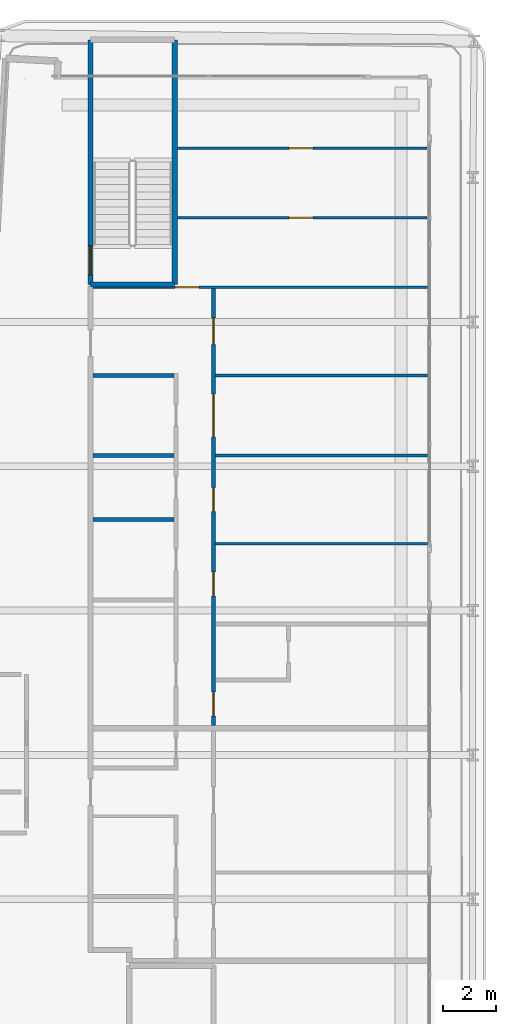
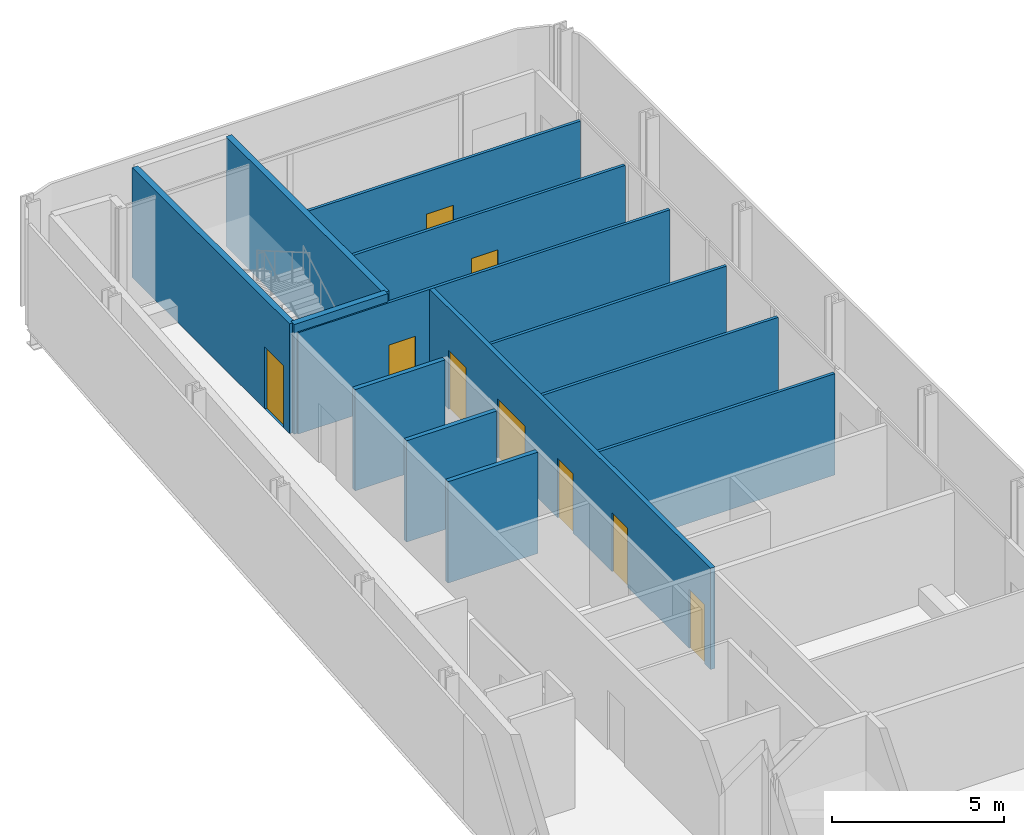
# One storey, part 18 of 27: 13 walls, 9 doors, 9 openings.
"""IFC4 building model written with IfcOpenShell, lengths in metres."""

from ifc_helpers import new_model, si_unit, direction, frame, frame_2d, origin, place, context, subcontext, project, spatial, rectangle, extrude, source, transform, mapped, material, layer, layer_set, type_object, element, fill, save


model = new_model("IFC4")

# Units and contexts
model_context = context("Model", 3, precision=1e-05, world=origin(), true_north=direction((0.0, 1.0)))
body_context = subcontext(model_context, "Body", "Model", "MODEL_VIEW")
ifc_project = project(units=[si_unit("LENGTHUNIT", "METRE"), si_unit("AREAUNIT", "SQUARE_METRE"), si_unit("VOLUMEUNIT", "CUBIC_METRE"), si_unit("PLANEANGLEUNIT", "RADIAN"), si_unit("MASSUNIT", "GRAM", prefix="KILO")], contexts=[model_context])

# Site, building, storey
site_placement = place(None, origin())
site = spatial("IfcSite", under=ifc_project, at=site_placement, CompositionType="ELEMENT")
building_placement = place(site_placement, origin())
building = spatial("IfcBuilding", under=site, at=building_placement, Name="Kheshtan School and Residences Tower", CompositionType="ELEMENT")
storey_placement = place(building_placement, frame((0.0, 0.0, 98.0)))
storey = spatial("IfcBuildingStorey", under=building, at=storey_placement, Name="L22", CompositionType="ELEMENT", Elevation=98.0)

# Wall, opening, door
ifc_material_1 = material(Name="Gypsum board on steel studs", Category="steel")
ifc_layer_1 = layer(ifc_material_1, 0.10009765625)
ifc_layer_set_1 = layer_set([ifc_layer_1], Name="Gypsum partition 100")
wall_type_1 = type_object("IfcWallType", Name="Gypsum partition 100", PredefinedType="PARTITIONING", material=ifc_layer_set_1)
wall_1_placement = place(storey_placement, frame((33.39990234375, 79.300048828125, 0.0), z_axis=(0.0, 0.0, 1.0), x_axis=(1.0, 0.0, 0.0)))
wall_1 = element("IfcWall", 1, at=wall_1_placement, inside=storey, type_object=wall_type_1, Name="Partition L22-011", PredefinedType="PARTITIONING", context=body_context, shape_type="SweptSolid", body=[
    extrude(rectangle(XDim=12.5, YDim=0.10009765625, at=frame_2d((6.25, 0.0))), origin(), (0.0, 0.0, 1.0), 3.60009765625),
])
opening_1_placement = place(wall_1_placement, frame((3.052978515625, 0.0, 0.0)))
opening_1 = element("IfcOpeningElement", 2, at=opening_1_placement, cuts=wall_1, Name="Opening D21-046", PredefinedType="OPENING", context=body_context, shape_type="SweptSolid", body=[
    extrude(rectangle(XDim=0.89990234375, YDim=2.10009765625, at=frame_2d((0.449951171875, 1.050048828125))), frame((0.0, 0.06005859375, 0.0), z_axis=(0.0, -1.0, 0.0), x_axis=(1.0, 0.0, 0.0)), (0.0, 0.0, 1.0), 0.1201171875),
])
ifc_material_2 = material(Name="Veneered timber door leaf", Category="wood")
door_type_1 = type_object("IfcDoorType", Name="Door 900 x 2100", OperationType="SINGLE_SWING_LEFT", PredefinedType="DOOR", material=ifc_material_2)
shared_shape_1 = source(origin(), body_context, "Body", "SweptSolid", [
    extrude(rectangle(XDim=0.89990234375, YDim=2.10009765625, at=frame_2d((0.449951171875, 1.050048828125))), frame((0.0, 0.02490234375, 0.0), z_axis=(0.0, -1.0, 0.0), x_axis=(1.0, 0.0, 0.0)), (0.0, 0.0, 1.0), 0.050048828125),
])
door_1_placement = place(opening_1_placement, origin())
door_1 = element("IfcDoor", 3, at=door_1_placement, inside=storey, type_object=door_type_1, Name="Door D21-046", OperationType="SINGLE_SWING_LEFT", OverallHeight=2.10009765625, OverallWidth=0.89990234375, PredefinedType="DOOR", context=body_context, shape_type="MappedRepresentation", body=[
    mapped(shared_shape_1, transform((0.0, 0.0, 0.0), x_axis=(1.0, 0.0, 0.0), y_axis=(0.0, 1.0, 0.0), z_axis=(0.0, 0.0, 1.0), scale=1.0)),
])
fill(opening_1, door_1)

wall_2_placement = place(storey_placement, frame((36.549072265625, 81.89990234375, 0.0), z_axis=(0.0, 0.0, 1.0), x_axis=(1.0, 0.0, 0.0)))
wall_2 = element("IfcWall", 4, at=wall_2_placement, inside=storey, type_object=wall_type_1, Name="Partition L22-018", PredefinedType="PARTITIONING", context=body_context, shape_type="SweptSolid", body=[
    extrude(rectangle(XDim=9.350830078125, YDim=0.10009765625, at=frame_2d((4.67529296875, 0.0))), origin(), (0.0, 0.0, 1.0), 3.60009765625),
])
opening_2_placement = place(wall_2_placement, frame((4.176025390625, 0.0, 0.0)))
opening_2 = element("IfcOpeningElement", 5, at=opening_2_placement, cuts=wall_2, Name="Opening D21-047", PredefinedType="OPENING", context=body_context, shape_type="SweptSolid", body=[
    extrude(rectangle(XDim=0.89990234375, YDim=2.10009765625, at=frame_2d((0.449951171875, 1.050048828125))), frame((0.0, 0.06005859375, 0.0), z_axis=(0.0, -1.0, 0.0), x_axis=(1.0, 0.0, 0.0)), (0.0, 0.0, 1.0), 0.1201171875),
])
door_2_placement = place(opening_2_placement, origin())
door_2 = element("IfcDoor", 6, at=door_2_placement, inside=storey, type_object=door_type_1, Name="Door D21-047", OperationType="SINGLE_SWING_RIGHT", OverallHeight=2.10009765625, OverallWidth=0.89990234375, PredefinedType="DOOR", context=body_context, shape_type="MappedRepresentation", body=[
    mapped(shared_shape_1, transform((0.0, 0.0, 0.0), x_axis=(1.0, 0.0, 0.0), y_axis=(0.0, 1.0, 0.0), z_axis=(0.0, 0.0, 1.0), scale=1.0)),
])
fill(opening_2, door_2)

wall_3_placement = place(storey_placement, frame((36.549072265625, 84.5, 0.0), z_axis=(0.0, 0.0, 1.0), x_axis=(1.0, 0.0, 0.0)))
wall_3 = element("IfcWall", 7, at=wall_3_placement, inside=storey, type_object=wall_type_1, Name="Partition L22-019", PredefinedType="PARTITIONING", context=body_context, shape_type="SweptSolid", body=[
    extrude(rectangle(XDim=9.350830078125, YDim=0.10009765625, at=frame_2d((4.67529296875, 0.0))), origin(), (0.0, 0.0, 1.0), 3.60009765625),
])
opening_3_placement = place(wall_3_placement, frame((4.176025390625, 0.0, 0.0)))
opening_3 = element("IfcOpeningElement", 8, at=opening_3_placement, cuts=wall_3, Name="Opening D21-048", PredefinedType="OPENING", context=body_context, shape_type="SweptSolid", body=[
    extrude(rectangle(XDim=0.89990234375, YDim=2.10009765625, at=frame_2d((0.449951171875, 1.050048828125))), frame((0.0, 0.06005859375, 0.0), z_axis=(0.0, -1.0, 0.0), x_axis=(1.0, 0.0, 0.0)), (0.0, 0.0, 1.0), 0.1201171875),
])
door_3_placement = place(opening_3_placement, origin())
door_3 = element("IfcDoor", 9, at=door_3_placement, inside=storey, type_object=door_type_1, Name="Door D21-048", OperationType="SINGLE_SWING_RIGHT", OverallHeight=2.10009765625, OverallWidth=0.89990234375, PredefinedType="DOOR", context=body_context, shape_type="MappedRepresentation", body=[
    mapped(shared_shape_1, transform((0.0, 0.0, 0.0), x_axis=(1.0, 0.0, 0.0), y_axis=(0.0, 1.0, 0.0), z_axis=(0.0, 0.0, 1.0), scale=1.0)),
])
fill(opening_3, door_3)

# Walls
for number, where, z_axis, x_axis, name in (
    (10, (37.97509765625, 69.699951171875, 0.0), (0.0, 0.0, 1.0), (1.0, 0.0, 0.0), "Partition L22-025"),
    (11, (37.97509765625, 73.0, 0.0), (0.0, 0.0, 1.0), (1.0, 0.0, 0.0), "Partition L22-026"),
    (12, (37.97509765625, 76.0, 0.0), (0.0, 0.0, 1.0), (1.0, 0.0, 0.0), "Partition L22-027"),
):
    element("IfcWall", number, at=place(storey_placement, frame(where, z_axis=z_axis, x_axis=x_axis)), inside=storey, type_object=wall_type_1, Name=name, PredefinedType="PARTITIONING", context=body_context, shape_type="SweptSolid", body=[
        extrude(rectangle(XDim=7.9248046875, YDim=0.10009765625, at=frame_2d((3.96240234375, 0.0))), origin(), (0.0, 0.0, 1.0), 3.60009765625),
    ])
ifc_material_3 = material(Name="Concrete C40/50", Category="concrete")
ifc_layer_2 = layer(ifc_material_3, 0.199951171875)
ifc_layer_set_2 = layer_set([ifc_layer_2], Name="Stair enclosure wall 200 Concrete C40/50")
wall_type_2 = type_object("IfcWallType", Name="Stair enclosure wall 200 Concrete C40/50", PredefinedType="SHEAR", material=ifc_layer_set_2)
wall_4_placement = place(storey_placement, frame((33.300048828125, 79.39990234375, 0.0), z_axis=(0.0, 0.0, 1.0), x_axis=(1.0, 0.0, 0.0)))
element("IfcWall", 13, at=wall_4_placement, inside=storey, type_object=wall_type_2, Name="Stair enclosure wall ST3", PredefinedType="SHEAR", context=body_context, shape_type="SweptSolid", body=[
    extrude(rectangle(XDim=3.14990234375, YDim=0.199951171875, at=frame_2d((1.574951171875, 0.0))), origin(), (0.0, 0.0, 1.0), 3.89990234375),
])

# Wall, opening, door
wall_5_placement = place(storey_placement, frame((33.300048828125, 79.39990234375, 0.0), z_axis=(0.0, 0.0, 1.0), x_axis=(0.0, 1.0, 0.0)))
wall_5 = element("IfcWall", 14, at=wall_5_placement, inside=storey, type_object=wall_type_2, Name="Stair enclosure wall ST3", PredefinedType="SHEAR", context=body_context, shape_type="SweptSolid", body=[
    extrude(rectangle(XDim=9.16015625, YDim=0.199951171875, at=frame_2d((4.580078125, 0.0))), origin(), (0.0, 0.0, 1.0), 3.89990234375),
])
opening_4_placement = place(wall_5_placement, frame((0.35009765625, 0.0, 0.0)))
opening_4 = element("IfcOpeningElement", 15, at=opening_4_placement, cuts=wall_5, Name="Opening ST3D", PredefinedType="OPENING", context=body_context, shape_type="SweptSolid", body=[
    extrude(rectangle(XDim=1.10009765625, YDim=2.199951171875, at=frame_2d((0.550048828125, 1.10009765625))), frame((0.0, 0.10986328125, 0.0), z_axis=(0.0, -1.0, 0.0), x_axis=(1.0, 0.0, 0.0)), (0.0, 0.0, 1.0), 0.219970703125),
])
ifc_material_4 = material(Name="Steel door leaf, galvanised", Category="steel")
door_type_2 = type_object("IfcDoorType", Name="Stair door 1100 steel 90 min", OperationType="SINGLE_SWING_LEFT", PredefinedType="DOOR", material=ifc_material_4)
shared_shape_2 = source(origin(), body_context, "Body", "SweptSolid", [
    extrude(rectangle(XDim=1.10009765625, YDim=2.199951171875, at=frame_2d((0.550048828125, 1.10009765625))), frame((0.0, 0.02490234375, 0.0), z_axis=(0.0, -1.0, 0.0), x_axis=(1.0, 0.0, 0.0)), (0.0, 0.0, 1.0), 0.050048828125),
])
door_4_placement = place(opening_4_placement, origin())
door_4 = element("IfcDoor", 16, at=door_4_placement, inside=storey, type_object=door_type_2, Name="Stair ST3 door", OperationType="SINGLE_SWING_RIGHT", OverallHeight=2.199951171875, OverallWidth=1.10009765625, PredefinedType="DOOR", context=body_context, shape_type="MappedRepresentation", body=[
    mapped(shared_shape_2, transform((0.0, 0.0, 0.0), x_axis=(1.0, 0.0, 0.0), y_axis=(0.0, 1.0, 0.0), z_axis=(0.0, 0.0, 1.0), scale=1.0)),
])
fill(opening_4, door_4)

# Walls
wall_6_placement = place(storey_placement, frame((36.449951171875, 79.39990234375, 0.0), z_axis=(0.0, 0.0, 1.0), x_axis=(0.0, 1.0, 0.0)))
element("IfcWall", 17, at=wall_6_placement, inside=storey, type_object=wall_type_2, Name="Stair enclosure wall ST3", PredefinedType="SHEAR", context=body_context, shape_type="SweptSolid", body=[
    extrude(rectangle(XDim=9.16015625, YDim=0.199951171875, at=frame_2d((4.580078125, 0.0))), origin(), (0.0, 0.0, 1.0), 3.89990234375),
])
ifc_material_5 = material(Name="Moisture-resistant gypsum board on steel studs", Category="steel")
ifc_layer_3 = layer(ifc_material_5, 0.14990234375)
ifc_layer_set_3 = layer_set([ifc_layer_3], Name="Wet-room partition 150")
wall_type_3 = type_object("IfcWallType", Name="Wet-room partition 150", PredefinedType="PARTITIONING", material=ifc_layer_set_3)
for number, where, z_axis, x_axis, name in (
    (18, (33.39990234375, 70.60009765625, 0.0), (0.0, 0.0, 1.0), (1.0, 0.0, 0.0), "Partition L22-008"),
    (19, (33.39990234375, 73.0, 0.0), (0.0, 0.0, 1.0), (1.0, 0.0, 0.0), "Partition L22-009"),
    (20, (33.39990234375, 76.0, 0.0), (0.0, 0.0, 1.0), (1.0, 0.0, 0.0), "Partition L22-010"),
):
    element("IfcWall", number, at=place(storey_placement, frame(where, z_axis=z_axis, x_axis=x_axis)), inside=storey, type_object=wall_type_3, Name=name, PredefinedType="PARTITIONING", context=body_context, shape_type="SweptSolid", body=[
        extrude(rectangle(XDim=3.025146484375, YDim=0.14990234375, at=frame_2d((1.5126953125, 0.0))), origin(), (0.0, 0.0, 1.0), 3.60009765625),
    ])

# Wall, openings, doors
wall_7_placement = place(storey_placement, frame((37.89990234375, 62.89990234375, 0.0), z_axis=(0.0, 0.0, 1.0), x_axis=(0.0, 1.0, 0.0)))
wall_7 = element("IfcWall", 21, at=wall_7_placement, inside=storey, type_object=wall_type_3, Name="Partition L22-021", PredefinedType="PARTITIONING", context=body_context, shape_type="SweptSolid", body=[
    extrude(rectangle(XDim=16.35009765625, YDim=0.14990234375, at=frame_2d((8.175048828125, 0.0))), origin(), (0.0, 0.0, 1.0), 3.60009765625),
])
opening_5_placement = place(wall_7_placement, frame((4.85009765625, 0.0, 0.0)))
opening_5 = element("IfcOpeningElement", 22, at=opening_5_placement, cuts=wall_7, Name="Opening D21-037", PredefinedType="OPENING", context=body_context, shape_type="SweptSolid", body=[
    extrude(rectangle(XDim=0.89990234375, YDim=2.10009765625, at=frame_2d((0.449951171875, 1.050048828125))), frame((0.0, 0.0849609375, 0.0), z_axis=(0.0, -1.0, 0.0), x_axis=(1.0, 0.0, 0.0)), (0.0, 0.0, 1.0), 0.169921875),
])
opening_6_placement = place(wall_7_placement, frame((8.0, 0.0, 0.0)))
opening_6 = element("IfcOpeningElement", 23, at=opening_6_placement, cuts=wall_7, Name="Opening D21-038", PredefinedType="OPENING", context=body_context, shape_type="SweptSolid", body=[
    extrude(rectangle(XDim=0.89990234375, YDim=2.10009765625, at=frame_2d((0.449951171875, 1.050048828125))), frame((0.0, 0.0849609375, 0.0), z_axis=(0.0, -1.0, 0.0), x_axis=(1.0, 0.0, 0.0)), (0.0, 0.0, 1.0), 0.169921875),
])
opening_7_placement = place(wall_7_placement, frame((14.25, 0.0, 0.0)))
opening_7 = element("IfcOpeningElement", 24, at=opening_7_placement, cuts=wall_7, Name="Opening D21-042", PredefinedType="OPENING", context=body_context, shape_type="SweptSolid", body=[
    extrude(rectangle(XDim=1.0, YDim=2.10009765625, at=frame_2d((0.5, 1.050048828125))), frame((0.0, 0.0849609375, 0.0), z_axis=(0.0, -1.0, 0.0), x_axis=(1.0, 0.0, 0.0)), (0.0, 0.0, 1.0), 0.169921875),
])
opening_8_placement = place(wall_7_placement, frame((10.800048828125, 0.0, 0.0)))
opening_8 = element("IfcOpeningElement", 25, at=opening_8_placement, cuts=wall_7, Name="Opening D21-043", PredefinedType="OPENING", context=body_context, shape_type="SweptSolid", body=[
    extrude(rectangle(XDim=1.60009765625, YDim=2.10009765625, at=frame_2d((0.800048828125, 1.050048828125))), frame((0.0, 0.0849609375, 0.0), z_axis=(0.0, -1.0, 0.0), x_axis=(1.0, 0.0, 0.0)), (0.0, 0.0, 1.0), 0.169921875),
])
opening_9_placement = place(wall_7_placement, frame((0.35009765625, 0.0, 0.0)))
opening_9 = element("IfcOpeningElement", 26, at=opening_9_placement, cuts=wall_7, Name="Opening D21-044", PredefinedType="OPENING", context=body_context, shape_type="SweptSolid", body=[
    extrude(rectangle(XDim=0.89990234375, YDim=2.10009765625, at=frame_2d((0.449951171875, 1.050048828125))), frame((0.0, 0.0849609375, 0.0), z_axis=(0.0, -1.0, 0.0), x_axis=(1.0, 0.0, 0.0)), (0.0, 0.0, 1.0), 0.169921875),
])
door_type_3 = type_object("IfcDoorType", Name="Door 1000 x 2100", OperationType="SINGLE_SWING_LEFT", PredefinedType="DOOR", material=ifc_material_2)
shared_shape_3 = source(origin(), body_context, "Body", "SweptSolid", [
    extrude(rectangle(XDim=1.0, YDim=2.10009765625, at=frame_2d((0.5, 1.050048828125))), frame((0.0, 0.02490234375, 0.0), z_axis=(0.0, -1.0, 0.0), x_axis=(1.0, 0.0, 0.0)), (0.0, 0.0, 1.0), 0.050048828125),
])
door_5_placement = place(opening_7_placement, origin())
door_5 = element("IfcDoor", 27, at=door_5_placement, inside=storey, type_object=door_type_3, Name="Door D21-042", OperationType="SINGLE_SWING_LEFT", OverallHeight=2.10009765625, OverallWidth=1.0, PredefinedType="DOOR", context=body_context, shape_type="MappedRepresentation", body=[
    mapped(shared_shape_3, transform((0.0, 0.0, 0.0), x_axis=(1.0, 0.0, 0.0), y_axis=(0.0, 1.0, 0.0), z_axis=(0.0, 0.0, 1.0), scale=1.0)),
])
fill(opening_7, door_5)
door_6_placement = place(opening_5_placement, origin())
door_6 = element("IfcDoor", 28, at=door_6_placement, inside=storey, type_object=door_type_1, Name="Door D21-037", OperationType="SINGLE_SWING_LEFT", OverallHeight=2.10009765625, OverallWidth=0.89990234375, PredefinedType="DOOR", context=body_context, shape_type="MappedRepresentation", body=[
    mapped(shared_shape_1, transform((0.0, 0.0, 0.0), x_axis=(1.0, 0.0, 0.0), y_axis=(0.0, 1.0, 0.0), z_axis=(0.0, 0.0, 1.0), scale=1.0)),
])
fill(opening_5, door_6)
door_7_placement = place(opening_6_placement, origin())
door_7 = element("IfcDoor", 29, at=door_7_placement, inside=storey, type_object=door_type_1, Name="Door D21-038", OperationType="SINGLE_SWING_LEFT", OverallHeight=2.10009765625, OverallWidth=0.89990234375, PredefinedType="DOOR", context=body_context, shape_type="MappedRepresentation", body=[
    mapped(shared_shape_1, transform((0.0, 0.0, 0.0), x_axis=(1.0, 0.0, 0.0), y_axis=(0.0, 1.0, 0.0), z_axis=(0.0, 0.0, 1.0), scale=1.0)),
])
fill(opening_6, door_7)
door_8_placement = place(opening_9_placement, origin())
door_8 = element("IfcDoor", 30, at=door_8_placement, inside=storey, type_object=door_type_1, Name="Door D21-044", OperationType="SINGLE_SWING_LEFT", OverallHeight=2.10009765625, OverallWidth=0.89990234375, PredefinedType="DOOR", context=body_context, shape_type="MappedRepresentation", body=[
    mapped(shared_shape_1, transform((0.0, 0.0, 0.0), x_axis=(1.0, 0.0, 0.0), y_axis=(0.0, 1.0, 0.0), z_axis=(0.0, 0.0, 1.0), scale=1.0)),
])
fill(opening_9, door_8)
door_type_4 = type_object("IfcDoorType", Name="Double door 1600 x 2100", OperationType="DOUBLE_DOOR_SINGLE_SWING", PredefinedType="DOOR", material=ifc_material_2)
shared_shape_4 = source(origin(), body_context, "Body", "SweptSolid", [
    extrude(rectangle(XDim=1.60009765625, YDim=2.10009765625, at=frame_2d((0.800048828125, 1.050048828125))), frame((0.0, 0.02490234375, 0.0), z_axis=(0.0, -1.0, 0.0), x_axis=(1.0, 0.0, 0.0)), (0.0, 0.0, 1.0), 0.050048828125),
])
door_9_placement = place(opening_8_placement, origin())
door_9 = element("IfcDoor", 31, at=door_9_placement, inside=storey, type_object=door_type_4, Name="Door D21-043", OperationType="DOUBLE_DOOR_SINGLE_SWING", OverallHeight=2.10009765625, OverallWidth=1.60009765625, PredefinedType="DOOR", context=body_context, shape_type="MappedRepresentation", body=[
    mapped(shared_shape_4, transform((0.0, 0.0, 0.0), x_axis=(1.0, 0.0, 0.0), y_axis=(0.0, 1.0, 0.0), z_axis=(0.0, 0.0, 1.0), scale=1.0)),
])
fill(opening_8, door_9)

save(model, "model.ifc")
